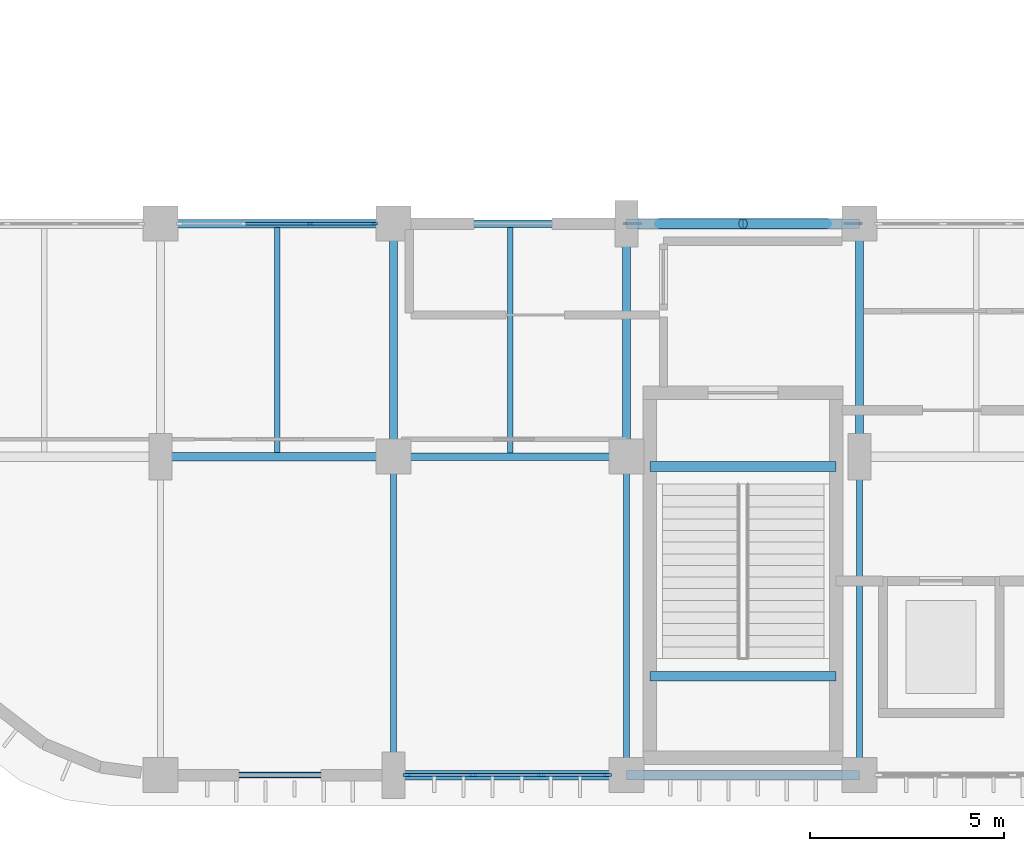
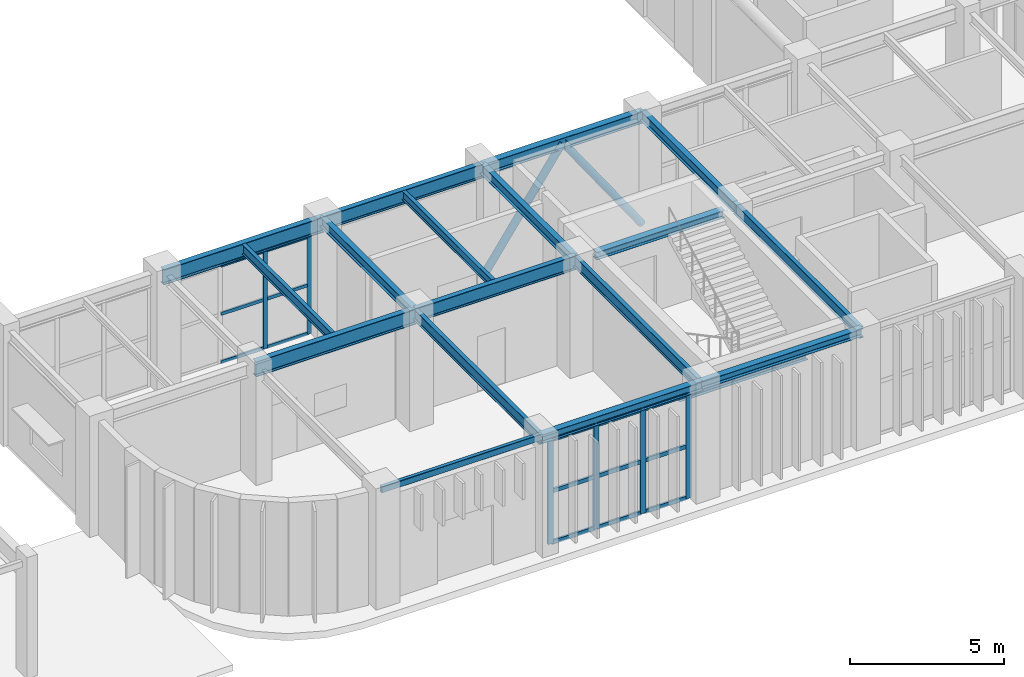
# One storey, part 17 of 76: 23 members, 18 beams, 2 elements without a shape of their own.
"""IFC4 building model written with IfcOpenShell, lengths in metres."""

from ifc_helpers import new_model, si_unit, direction, frame, origin, origin_2d, place, context, subcontext, project, spatial, rectangle, hollow_rectangle, hollow_circle, i_section, extrude, material, material_profile, profile_set, type_object, element, aggregate, save


model = new_model("IFC4")

# Units and contexts
model_context = context("Model", 3, precision=1e-05, world=origin(), true_north=direction((0.0, 1.0)))
body_context = subcontext(model_context, "Body", "Model", "MODEL_VIEW")
ifc_project = project(units=[si_unit("LENGTHUNIT", "METRE"), si_unit("AREAUNIT", "SQUARE_METRE"), si_unit("VOLUMEUNIT", "CUBIC_METRE"), si_unit("PLANEANGLEUNIT", "RADIAN"), si_unit("MASSUNIT", "GRAM", prefix="KILO")], contexts=[model_context])

# Site, building, storey
site_placement = place(None, origin())
site = spatial("IfcSite", under=ifc_project, at=site_placement, CompositionType="ELEMENT")
building_placement = place(site_placement, origin())
building = spatial("IfcBuilding", under=site, at=building_placement, Name="Varnakota Square Police Headquarters", CompositionType="ELEMENT")
storey_placement = place(building_placement, origin())
storey = spatial("IfcBuildingStorey", under=building, at=storey_placement, Name="L00", CompositionType="ELEMENT", Elevation=0.0)

# Beams
ifc_material_1 = material(Name="Steel IS 2062 Grade 350", Category="steel")
ifc_material_profile_1 = material_profile(ifc_material_1, hollow_rectangle(XDim=0.14990234375, YDim=0.25, WallThickness=0.010009765625, InnerFilletRadius=0.010009765625, OuterFilletRadius=0.02001953125, at=origin_2d()), Name="RHS 250x150x10")
ifc_profile_set_1 = profile_set([ifc_material_profile_1], Name="Steel IS 2062 Grade 350")
beam_type_1 = type_object("IfcBeamType", Name="BM-CBEAM-RHS250", PredefinedType="BEAM", material=ifc_profile_set_1)
beam_1_placement = place(storey_placement, frame((114.0, 0.800048828125, 4.375), z_axis=(1.0, 0.0, 0.0), x_axis=(0.0, 1.0, 0.0)))
element("IfcBeam", 1, at=beam_1_placement, inside=storey, type_object=beam_type_1, Name="BMG-L00-0686", PredefinedType="BEAM", context=body_context, shape_type="SweptSolid", body=[
    extrude(hollow_rectangle(XDim=0.14990234375, YDim=0.25, WallThickness=0.010009765625, InnerFilletRadius=0.010009765625, OuterFilletRadius=0.02001953125, at=origin_2d()), origin(), (0.0, 0.0, 1.0), 6.0),
])
ifc_material_profile_2 = material_profile(ifc_material_1, i_section(OverallWidth=0.25, OverallDepth=0.300048828125, WebThickness=0.009521484375, FlangeThickness=0.010498046875, FilletRadius=0.011962890625, at=origin_2d()), Name="ISHB 300")
ifc_profile_set_2 = profile_set([ifc_material_profile_2], Name="Steel IS 2062 Grade 350")
beam_type_2 = type_object("IfcBeamType", Name="BM-ISHB300", PredefinedType="BEAM", material=ifc_profile_set_2)
beam_2_placement = place(storey_placement, frame((126.0, 0.800048828125, 4.35009765625), z_axis=(1.0, 0.0, 0.0), x_axis=(0.0, 1.0, 0.0)))
element("IfcBeam", 2, at=beam_2_placement, inside=storey, type_object=beam_type_2, Name="BMG-L00-0688", PredefinedType="BEAM", context=body_context, shape_type="SweptSolid", body=[
    extrude(i_section(OverallWidth=0.25, OverallDepth=0.300048828125, WebThickness=0.009521484375, FlangeThickness=0.010498046875, FilletRadius=0.011962890625, at=origin_2d()), origin(), (0.0, 0.0, 1.0), 6.0),
])
for number, where, z_axis, x_axis, name in (
    (3, (126.60009765625, 3.349365234375, 2.083984375), (1.0, 0.0, 0.0), (0.0, 1.0, 0.0), "Stair landing support beam BM-LND-0001"),
    (4, (126.60009765625, 8.75, 4.429931640625), (1.0, 0.0, 0.0), (0.0, 1.0, 0.0), "Stair landing support beam BM-LND-0002"),
):
    element("IfcBeam", number, at=place(storey_placement, frame(where, z_axis=z_axis, x_axis=x_axis)), inside=storey, type_object=beam_type_2, Name=name, PredefinedType="BEAM", context=body_context, shape_type="SweptSolid", body=[
        extrude(i_section(OverallWidth=0.25, OverallDepth=0.300048828125, WebThickness=0.009521484375, FlangeThickness=0.010498046875, FilletRadius=0.011962890625, at=origin_2d()), origin(), (0.0, 0.0, 1.0), 4.7998046875),
    ])
ifc_material_profile_3 = material_profile(ifc_material_1, i_section(OverallWidth=0.25, OverallDepth=0.35009765625, WebThickness=0.010009765625, FlangeThickness=0.01171875, FilletRadius=0.011962890625, at=origin_2d()), Name="ISHB 350")
ifc_profile_set_3 = profile_set([ifc_material_profile_3], Name="Steel IS 2062 Grade 350")
beam_type_3 = type_object("IfcBeamType", Name="BM-ISHB350", PredefinedType="BEAM", material=ifc_profile_set_3)
beam_3_placement = place(storey_placement, frame((120.0, 0.800048828125, 4.324951171875), z_axis=(1.0, 0.0, 0.0), x_axis=(0.0, 1.0, 0.0)))
element("IfcBeam", 5, at=beam_3_placement, inside=storey, type_object=beam_type_3, Name="BMG-L00-0687", PredefinedType="BEAM", context=body_context, shape_type="SweptSolid", body=[
    extrude(i_section(OverallWidth=0.25, OverallDepth=0.35009765625, WebThickness=0.010009765625, FlangeThickness=0.01171875, FilletRadius=0.011962890625, at=origin_2d()), origin(), (0.0, 0.0, 1.0), 6.0),
])
ifc_material_profile_4 = material_profile(ifc_material_1, i_section(OverallWidth=0.25, OverallDepth=0.449951171875, WebThickness=0.01123046875, FlangeThickness=0.013671875, FilletRadius=0.014892578125, at=origin_2d()), Name="ISHB 450")
ifc_profile_set_4 = profile_set([ifc_material_profile_4], Name="Steel IS 2062 Grade 350")
beam_type_4 = type_object("IfcBeamType", Name="BM-ISHB450", PredefinedType="BEAM", material=ifc_profile_set_4)
beam_4_placement = place(storey_placement, frame((126.0, 15.0, 4.27490234375), z_axis=(1.0, 0.0, 0.0), x_axis=(0.0, 1.0, 0.0)))
element("IfcBeam", 6, at=beam_4_placement, inside=storey, type_object=beam_type_4, Name="BMG-L00-0737", PredefinedType="BEAM", context=body_context, shape_type="SweptSolid", body=[
    extrude(i_section(OverallWidth=0.25, OverallDepth=0.449951171875, WebThickness=0.01123046875, FlangeThickness=0.013671875, FilletRadius=0.014892578125, at=origin_2d()), origin(), (0.0, 0.0, 1.0), 6.0),
])
ifc_material_profile_5 = material_profile(ifc_material_1, i_section(OverallWidth=0.139892578125, OverallDepth=0.35009765625, WebThickness=0.008056640625, FlangeThickness=0.01416015625, FilletRadius=0.013916015625, at=origin_2d()), Name="ISMB 350")
ifc_profile_set_5 = profile_set([ifc_material_profile_5], Name="Steel IS 2062 Grade 350")
beam_type_5 = type_object("IfcBeamType", Name="BM-ISMB350", PredefinedType="JOIST", material=ifc_profile_set_5)
beam_5_placement = place(storey_placement, frame((123.0, 9.093017578125, 4.324951171875), z_axis=(0.0, 1.0, 0.0), x_axis=(-1.0, 0.0, 0.0)))
element("IfcBeam", 7, at=beam_5_placement, inside=storey, type_object=beam_type_5, Name="BMG-L00-1266", PredefinedType="JOIST", context=body_context, shape_type="SweptSolid", body=[
    extrude(i_section(OverallWidth=0.139892578125, OverallDepth=0.35009765625, WebThickness=0.008056640625, FlangeThickness=0.01416015625, FilletRadius=0.013916015625, at=origin_2d()), origin(), (0.0, 0.0, 1.0), 5.81396484375),
])
ifc_material_profile_6 = material_profile(ifc_material_1, i_section(OverallWidth=0.139892578125, OverallDepth=0.39990234375, WebThickness=0.0087890625, FlangeThickness=0.01611328125, FilletRadius=0.013916015625, at=origin_2d()), Name="ISMB 400")
ifc_profile_set_6 = profile_set([ifc_material_profile_6], Name="Steel IS 2062 Grade 350")
beam_type_6 = type_object("IfcBeamType", Name="BM-ISMB400", PredefinedType="JOIST", material=ifc_profile_set_6)
beam_6_placement = place(storey_placement, frame((117.0, 9.10302734375, 4.300048828125), z_axis=(0.0, 1.0, 0.0), x_axis=(-1.0, 0.0, 0.0)))
element("IfcBeam", 8, at=beam_6_placement, inside=storey, type_object=beam_type_6, Name="BMG-L00-1262", PredefinedType="JOIST", context=body_context, shape_type="SweptSolid", body=[
    extrude(i_section(OverallWidth=0.139892578125, OverallDepth=0.39990234375, WebThickness=0.0087890625, FlangeThickness=0.01611328125, FilletRadius=0.013916015625, at=origin_2d()), origin(), (0.0, 0.0, 1.0), 5.7939453125),
])
ifc_material_profile_7 = material_profile(ifc_material_1, i_section(OverallWidth=0.14990234375, OverallDepth=0.449951171875, WebThickness=0.009521484375, FlangeThickness=0.017333984375, FilletRadius=0.014892578125, at=origin_2d()), Name="ISMB 450")
ifc_profile_set_7 = profile_set([ifc_material_profile_7], Name="Steel IS 2062 Grade 350")
beam_type_7 = type_object("IfcBeamType", Name="BM-ISMB450", PredefinedType="BEAM", material=ifc_profile_set_7)
for number, where, z_axis, x_axis, name in (
    (9, (120.0, 0.800048828125, 4.27490234375), (0.0, 1.0, 0.0), (-1.0, 0.0, 0.0), "BMG-L00-1096"),
    (10, (126.0, 0.800048828125, 4.27490234375), (0.0, 1.0, 0.0), (-1.0, 0.0, 0.0), "BMG-L00-1102"),
    (11, (132.0, 0.800048828125, 4.27490234375), (0.0, 1.0, 0.0), (-1.0, 0.0, 0.0), "BMG-L00-1108"),
):
    element("IfcBeam", number, at=place(storey_placement, frame(where, z_axis=z_axis, x_axis=x_axis)), inside=storey, type_object=beam_type_7, Name=name, PredefinedType="BEAM", context=body_context, shape_type="SweptSolid", body=[
        extrude(i_section(OverallWidth=0.14990234375, OverallDepth=0.449951171875, WebThickness=0.009521484375, FlangeThickness=0.017333984375, FilletRadius=0.014892578125, at=origin_2d()), origin(), (0.0, 0.0, 1.0), 8.199951171875),
    ])
ifc_material_profile_8 = material_profile(ifc_material_1, i_section(OverallWidth=0.18994140625, OverallDepth=0.550048828125, WebThickness=0.01123046875, FlangeThickness=0.019287109375, FilletRadius=0.01806640625, at=origin_2d()), Name="ISMB 550")
ifc_profile_set_8 = profile_set([ifc_material_profile_8], Name="Steel IS 2062 Grade 350")
beam_type_8 = type_object("IfcBeamType", Name="BM-ISMB550", PredefinedType="BEAM", material=ifc_profile_set_8)
for number, where, z_axis, x_axis, name in (
    (12, (120.0, 9.0, 4.22509765625), (1.0, 0.0, 0.0), (0.0, 1.0, 0.0), "BMG-L00-0720"),
    (13, (120.0, 15.0, 4.22509765625), (1.0, 0.0, 0.0), (0.0, 1.0, 0.0), "BMG-L00-0736"),
):
    element("IfcBeam", number, at=place(storey_placement, frame(where, z_axis=z_axis, x_axis=x_axis)), inside=storey, type_object=beam_type_8, Name=name, PredefinedType="BEAM", context=body_context, shape_type="SweptSolid", body=[
        extrude(i_section(OverallWidth=0.18994140625, OverallDepth=0.550048828125, WebThickness=0.01123046875, FlangeThickness=0.019287109375, FilletRadius=0.01806640625, at=origin_2d()), origin(), (0.0, 0.0, 1.0), 6.0),
    ])
ifc_material_profile_9 = material_profile(ifc_material_1, i_section(OverallWidth=0.2099609375, OverallDepth=0.60009765625, WebThickness=0.011962890625, FlangeThickness=0.020751953125, FilletRadius=0.02001953125, at=origin_2d()), Name="ISMB 600")
ifc_profile_set_9 = profile_set([ifc_material_profile_9], Name="Steel IS 2062 Grade 350")
beam_type_9 = type_object("IfcBeamType", Name="BM-ISMB600", PredefinedType="BEAM", material=ifc_profile_set_9)
for number, where, z_axis, x_axis, name in (
    (14, (114.0, 9.0, 4.199951171875), (1.0, 0.0, 0.0), (0.0, 1.0, 0.0), "BMG-L00-0719"),
    (15, (114.0, 15.0, 4.199951171875), (1.0, 0.0, 0.0), (0.0, 1.0, 0.0), "BMG-L00-0735"),
):
    element("IfcBeam", number, at=place(storey_placement, frame(where, z_axis=z_axis, x_axis=x_axis)), inside=storey, type_object=beam_type_9, Name=name, PredefinedType="BEAM", context=body_context, shape_type="SweptSolid", body=[
        extrude(i_section(OverallWidth=0.2099609375, OverallDepth=0.60009765625, WebThickness=0.011962890625, FlangeThickness=0.020751953125, FilletRadius=0.02001953125, at=origin_2d()), origin(), (0.0, 0.0, 1.0), 6.0),
    ])
ifc_material_profile_10 = material_profile(ifc_material_1, i_section(OverallWidth=0.199951171875, OverallDepth=0.39990234375, WebThickness=0.008544921875, FlangeThickness=0.012939453125, FilletRadius=0.012939453125, at=origin_2d()), Name="ISWB 400")
ifc_profile_set_10 = profile_set([ifc_material_profile_10], Name="Steel IS 2062 Grade 350")
beam_type_10 = type_object("IfcBeamType", Name="BM-ISWB400", PredefinedType="BEAM", material=ifc_profile_set_10)
for number, where, z_axis, x_axis, name in (
    (16, (120.0, 9.0, 4.300048828125), (0.0, 1.0, 0.0), (-1.0, 0.0, 0.0), "BMG-L00-1097"),
    (17, (126.0, 9.0, 4.300048828125), (0.0, 1.0, 0.0), (-1.0, 0.0, 0.0), "BMG-L00-1103"),
    (18, (132.0, 9.0, 4.300048828125), (0.0, 1.0, 0.0), (-1.0, 0.0, 0.0), "BMG-L00-1109"),
):
    element("IfcBeam", number, at=place(storey_placement, frame(where, z_axis=z_axis, x_axis=x_axis)), inside=storey, type_object=beam_type_10, Name=name, PredefinedType="BEAM", context=body_context, shape_type="SweptSolid", body=[
        extrude(i_section(OverallWidth=0.199951171875, OverallDepth=0.39990234375, WebThickness=0.008544921875, FlangeThickness=0.012939453125, FilletRadius=0.012939453125, at=origin_2d()), origin(), (0.0, 0.0, 1.0), 6.0),
    ])

# Curtain wall, members
ifc_material_2 = material(Name="Anodised Aluminium Framing", Category="aluminium")
curtain_wall_type_1 = type_object("IfcCurtainWallType", Name="CW-SYS-D", PredefinedType="NOTDEFINED", material=ifc_material_2)
curtain_wall_1_placement = place(storey_placement, origin())
curtain_wall_1 = element("IfcCurtainWall", 19, at=curtain_wall_1_placement, inside=storey, type_object=curtain_wall_type_1, Name="Unitised curtain wall CWG-L00-050", PredefinedType="NOTDEFINED")
ifc_material_3 = material(Name="Anodised Aluminium 6063-T6", Category="aluminium")
ifc_material_profile_11 = material_profile(ifc_material_3, rectangle(XDim=0.06494140625, YDim=0.159912109375, at=origin_2d()), Name="ALU MULLION 65x160")
ifc_profile_set_11 = profile_set([ifc_material_profile_11], Name="Anodised Aluminium 6063-T6")
member_type_1 = type_object("IfcMemberType", Name="CWM-150", PredefinedType="MULLION", material=ifc_profile_set_11)
member_1_placement = place(storey_placement, frame((117.848388671875, 15.0, 0.0), z_axis=(0.0, 0.0, 1.0), x_axis=(0.0, 1.0, 0.0)))
member_1 = element("IfcMember", 20, at=member_1_placement, type_object=member_type_1, Name="CWG-L00-050 mullion 3", PredefinedType="MULLION", context=body_context, shape_type="SweptSolid", body=[
    extrude(rectangle(XDim=0.06494140625, YDim=0.159912109375, at=origin_2d()), origin(), (0.0, 0.0, 1.0), 3.889892578125),
])
member_2_placement = place(storey_placement, frame((119.512451171875, 15.0, 0.0), z_axis=(0.0, 0.0, 1.0), x_axis=(0.0, 1.0, 0.0)))
member_2 = element("IfcMember", 21, at=member_2_placement, type_object=member_type_1, Name="CWG-L00-050 mullion 4", PredefinedType="MULLION", context=body_context, shape_type="SweptSolid", body=[
    extrude(rectangle(XDim=0.06494140625, YDim=0.159912109375, at=origin_2d()), origin(), (0.0, 0.0, 1.0), 3.889892578125),
])

curtain_wall_type_2 = type_object("IfcCurtainWallType", Name="CW-SYS-B", PredefinedType="NOTDEFINED", material=ifc_material_2)
curtain_wall_2_placement = place(storey_placement, origin())
curtain_wall_2 = element("IfcCurtainWall", 22, at=curtain_wall_2_placement, inside=storey, type_object=curtain_wall_type_2, Name="Unitised curtain wall CWG-L00-046", PredefinedType="NOTDEFINED")
ifc_material_profile_12 = material_profile(ifc_material_3, rectangle(XDim=0.074951171875, YDim=0.199951171875, at=origin_2d()), Name="ALU MULLION 75x200")
ifc_profile_set_12 = profile_set([ifc_material_profile_12], Name="Anodised Aluminium 6063-T6")
member_type_2 = type_object("IfcMemberType", Name="CWM-180", PredefinedType="MULLION", material=ifc_profile_set_12)
member_3_placement = place(storey_placement, frame((120.342529296875, 0.800048828125, 0.0), z_axis=(0.0, 0.0, 1.0), x_axis=(0.0, 1.0, 0.0)))
member_3 = element("IfcMember", 23, at=member_3_placement, type_object=member_type_2, Name="CWG-L00-046 mullion 1", PredefinedType="MULLION", context=body_context, shape_type="SweptSolid", body=[
    extrude(rectangle(XDim=0.074951171875, YDim=0.199951171875, at=origin_2d()), origin(), (0.0, 0.0, 1.0), 4.139892578125),
])
member_4_placement = place(storey_placement, frame((122.0517578125, 0.800048828125, 0.0), z_axis=(0.0, 0.0, 1.0), x_axis=(0.0, 1.0, 0.0)))
member_4 = element("IfcMember", 24, at=member_4_placement, type_object=member_type_2, Name="CWG-L00-046 mullion 2", PredefinedType="MULLION", context=body_context, shape_type="SweptSolid", body=[
    extrude(rectangle(XDim=0.074951171875, YDim=0.199951171875, at=origin_2d()), origin(), (0.0, 0.0, 1.0), 4.139892578125),
])
member_5_placement = place(storey_placement, frame((123.79833984375, 0.800048828125, 0.0), z_axis=(0.0, 0.0, 1.0), x_axis=(0.0, 1.0, 0.0)))
member_5 = element("IfcMember", 25, at=member_5_placement, type_object=member_type_2, Name="CWG-L00-046 mullion 3", PredefinedType="MULLION", context=body_context, shape_type="SweptSolid", body=[
    extrude(rectangle(XDim=0.074951171875, YDim=0.199951171875, at=origin_2d()), origin(), (0.0, 0.0, 1.0), 4.139892578125),
])
member_6_placement = place(storey_placement, frame((125.507568359375, 0.800048828125, 0.0), z_axis=(0.0, 0.0, 1.0), x_axis=(0.0, 1.0, 0.0)))
member_6 = element("IfcMember", 26, at=member_6_placement, type_object=member_type_2, Name="CWG-L00-046 mullion 4", PredefinedType="MULLION", context=body_context, shape_type="SweptSolid", body=[
    extrude(rectangle(XDim=0.074951171875, YDim=0.199951171875, at=origin_2d()), origin(), (0.0, 0.0, 1.0), 4.139892578125),
])

# Member
ifc_material_profile_13 = material_profile(ifc_material_3, rectangle(XDim=0.06494140625, YDim=0.1298828125, at=origin_2d()), Name="ALU TRANSOM 65x130")
ifc_profile_set_13 = profile_set([ifc_material_profile_13], Name="Anodised Aluminium 6063-T6")
member_type_3 = type_object("IfcMemberType", Name="CWT-120", PredefinedType="USERDEFINED", material=ifc_profile_set_13)
member_7_placement = place(storey_placement, frame((116.18408203125, 15.0, 0.032470703125), z_axis=(1.0, 0.0, 0.0), x_axis=(0.0, 1.0, 0.0)))
member_7 = element("IfcMember", 27, at=member_7_placement, type_object=member_type_3, Name="CWG-L00-050 transom 2.1", ObjectType="TRANSOM", PredefinedType="USERDEFINED", context=body_context, shape_type="SweptSolid", body=[
    extrude(rectangle(XDim=0.06494140625, YDim=0.1298828125, at=origin_2d()), origin(), (0.0, 0.0, 1.0), 1.6318359375),
])

member_8_placement = place(storey_placement, frame((116.18408203125, 15.0, 1.945068359375), z_axis=(1.0, 0.0, 0.0), x_axis=(0.0, 1.0, 0.0)))
member_8 = element("IfcMember", 28, at=member_8_placement, type_object=member_type_3, Name="CWG-L00-050 transom 2.2", ObjectType="TRANSOM", PredefinedType="USERDEFINED", context=body_context, shape_type="SweptSolid", body=[
    extrude(rectangle(XDim=0.06494140625, YDim=0.1298828125, at=origin_2d()), origin(), (0.0, 0.0, 1.0), 1.6318359375),
])

member_9_placement = place(storey_placement, frame((116.18408203125, 15.0, 3.857421875), z_axis=(1.0, 0.0, 0.0), x_axis=(0.0, 1.0, 0.0)))
member_9 = element("IfcMember", 29, at=member_9_placement, type_object=member_type_3, Name="CWG-L00-050 transom 2.3", ObjectType="TRANSOM", PredefinedType="USERDEFINED", context=body_context, shape_type="SweptSolid", body=[
    extrude(rectangle(XDim=0.06494140625, YDim=0.1298828125, at=origin_2d()), origin(), (0.0, 0.0, 1.0), 1.6318359375),
])

member_10_placement = place(storey_placement, frame((117.880859375, 15.0, 0.032470703125), z_axis=(1.0, 0.0, 0.0), x_axis=(0.0, 1.0, 0.0)))
member_10 = element("IfcMember", 30, at=member_10_placement, type_object=member_type_3, Name="CWG-L00-050 transom 3.1", ObjectType="TRANSOM", PredefinedType="USERDEFINED", context=body_context, shape_type="SweptSolid", body=[
    extrude(rectangle(XDim=0.06494140625, YDim=0.1298828125, at=origin_2d()), origin(), (0.0, 0.0, 1.0), 1.59912109375),
])

member_11_placement = place(storey_placement, frame((117.880859375, 15.0, 1.945068359375), z_axis=(1.0, 0.0, 0.0), x_axis=(0.0, 1.0, 0.0)))
member_11 = element("IfcMember", 31, at=member_11_placement, type_object=member_type_3, Name="CWG-L00-050 transom 3.2", ObjectType="TRANSOM", PredefinedType="USERDEFINED", context=body_context, shape_type="SweptSolid", body=[
    extrude(rectangle(XDim=0.06494140625, YDim=0.1298828125, at=origin_2d()), origin(), (0.0, 0.0, 1.0), 1.59912109375),
])

member_12_placement = place(storey_placement, frame((117.880859375, 15.0, 3.857421875), z_axis=(1.0, 0.0, 0.0), x_axis=(0.0, 1.0, 0.0)))
member_12 = element("IfcMember", 32, at=member_12_placement, type_object=member_type_3, Name="CWG-L00-050 transom 3.3", ObjectType="TRANSOM", PredefinedType="USERDEFINED", context=body_context, shape_type="SweptSolid", body=[
    extrude(rectangle(XDim=0.06494140625, YDim=0.1298828125, at=origin_2d()), origin(), (0.0, 0.0, 1.0), 1.59912109375),
])

aggregate(curtain_wall_1, [member_1, member_2, member_7, member_8, member_9, member_10, member_11, member_12])

ifc_material_profile_14 = material_profile(ifc_material_3, rectangle(XDim=0.074951171875, YDim=0.159912109375, at=origin_2d()), Name="ALU TRANSOM 75x160")
ifc_profile_set_14 = profile_set([ifc_material_profile_14], Name="Anodised Aluminium 6063-T6")
member_type_4 = type_object("IfcMemberType", Name="CWT-150", PredefinedType="USERDEFINED", material=ifc_profile_set_14)
member_13_placement = place(storey_placement, frame((120.3798828125, 0.800048828125, 0.03759765625), z_axis=(1.0, 0.0, 0.0), x_axis=(0.0, 1.0, 0.0)))
member_13 = element("IfcMember", 33, at=member_13_placement, type_object=member_type_4, Name="CWG-L00-046 transom 1.1", ObjectType="TRANSOM", PredefinedType="USERDEFINED", context=body_context, shape_type="SweptSolid", body=[
    extrude(rectangle(XDim=0.074951171875, YDim=0.159912109375, at=origin_2d()), origin(), (0.0, 0.0, 1.0), 1.63427734375),
])

member_14_placement = place(storey_placement, frame((120.3798828125, 0.800048828125, 2.070068359375), z_axis=(1.0, 0.0, 0.0), x_axis=(0.0, 1.0, 0.0)))
member_14 = element("IfcMember", 34, at=member_14_placement, type_object=member_type_4, Name="CWG-L00-046 transom 1.2", ObjectType="TRANSOM", PredefinedType="USERDEFINED", context=body_context, shape_type="SweptSolid", body=[
    extrude(rectangle(XDim=0.074951171875, YDim=0.159912109375, at=origin_2d()), origin(), (0.0, 0.0, 1.0), 1.63427734375),
])

member_15_placement = place(storey_placement, frame((120.3798828125, 0.800048828125, 4.1025390625), z_axis=(1.0, 0.0, 0.0), x_axis=(0.0, 1.0, 0.0)))
member_15 = element("IfcMember", 35, at=member_15_placement, type_object=member_type_4, Name="CWG-L00-046 transom 1.3", ObjectType="TRANSOM", PredefinedType="USERDEFINED", context=body_context, shape_type="SweptSolid", body=[
    extrude(rectangle(XDim=0.074951171875, YDim=0.159912109375, at=origin_2d()), origin(), (0.0, 0.0, 1.0), 1.63427734375),
])

member_16_placement = place(storey_placement, frame((122.089111328125, 0.800048828125, 0.03759765625), z_axis=(1.0, 0.0, 0.0), x_axis=(0.0, 1.0, 0.0)))
member_16 = element("IfcMember", 36, at=member_16_placement, type_object=member_type_4, Name="CWG-L00-046 transom 2.1", ObjectType="TRANSOM", PredefinedType="USERDEFINED", context=body_context, shape_type="SweptSolid", body=[
    extrude(rectangle(XDim=0.074951171875, YDim=0.159912109375, at=origin_2d()), origin(), (0.0, 0.0, 1.0), 1.671630859375),
])

member_17_placement = place(storey_placement, frame((122.089111328125, 0.800048828125, 2.070068359375), z_axis=(1.0, 0.0, 0.0), x_axis=(0.0, 1.0, 0.0)))
member_17 = element("IfcMember", 37, at=member_17_placement, type_object=member_type_4, Name="CWG-L00-046 transom 2.2", ObjectType="TRANSOM", PredefinedType="USERDEFINED", context=body_context, shape_type="SweptSolid", body=[
    extrude(rectangle(XDim=0.074951171875, YDim=0.159912109375, at=origin_2d()), origin(), (0.0, 0.0, 1.0), 1.671630859375),
])

member_18_placement = place(storey_placement, frame((122.089111328125, 0.800048828125, 4.1025390625), z_axis=(1.0, 0.0, 0.0), x_axis=(0.0, 1.0, 0.0)))
member_18 = element("IfcMember", 38, at=member_18_placement, type_object=member_type_4, Name="CWG-L00-046 transom 2.3", ObjectType="TRANSOM", PredefinedType="USERDEFINED", context=body_context, shape_type="SweptSolid", body=[
    extrude(rectangle(XDim=0.074951171875, YDim=0.159912109375, at=origin_2d()), origin(), (0.0, 0.0, 1.0), 1.671630859375),
])

member_19_placement = place(storey_placement, frame((123.8359375, 0.800048828125, 0.03759765625), z_axis=(1.0, 0.0, 0.0), x_axis=(0.0, 1.0, 0.0)))
member_19 = element("IfcMember", 39, at=member_19_placement, type_object=member_type_4, Name="CWG-L00-046 transom 3.1", ObjectType="TRANSOM", PredefinedType="USERDEFINED", context=body_context, shape_type="SweptSolid", body=[
    extrude(rectangle(XDim=0.074951171875, YDim=0.159912109375, at=origin_2d()), origin(), (0.0, 0.0, 1.0), 1.634033203125),
])

member_20_placement = place(storey_placement, frame((123.8359375, 0.800048828125, 2.070068359375), z_axis=(1.0, 0.0, 0.0), x_axis=(0.0, 1.0, 0.0)))
member_20 = element("IfcMember", 40, at=member_20_placement, type_object=member_type_4, Name="CWG-L00-046 transom 3.2", ObjectType="TRANSOM", PredefinedType="USERDEFINED", context=body_context, shape_type="SweptSolid", body=[
    extrude(rectangle(XDim=0.074951171875, YDim=0.159912109375, at=origin_2d()), origin(), (0.0, 0.0, 1.0), 1.634033203125),
])

member_21_placement = place(storey_placement, frame((123.8359375, 0.800048828125, 4.1025390625), z_axis=(1.0, 0.0, 0.0), x_axis=(0.0, 1.0, 0.0)))
member_21 = element("IfcMember", 41, at=member_21_placement, type_object=member_type_4, Name="CWG-L00-046 transom 3.3", ObjectType="TRANSOM", PredefinedType="USERDEFINED", context=body_context, shape_type="SweptSolid", body=[
    extrude(rectangle(XDim=0.074951171875, YDim=0.159912109375, at=origin_2d()), origin(), (0.0, 0.0, 1.0), 1.634033203125),
])

aggregate(curtain_wall_2, [member_3, member_4, member_5, member_6, member_13, member_14, member_15, member_16, member_17, member_18, member_19, member_20, member_21])

# Members
ifc_material_profile_15 = material_profile(ifc_material_1, hollow_circle(Radius=0.136474609375, WallThickness=0.010009765625, at=origin_2d()), Name="CHS 273.0x10.0")
ifc_profile_set_15 = profile_set([ifc_material_profile_15], Name="Steel IS 2062 Grade 350")
member_type_5 = type_object("IfcMemberType", Name="MEM-BR-CHS273", PredefinedType="BRACE", material=ifc_profile_set_15)
for number, where, z_axis, x_axis, name in (
    (42, (126.050048828125, 15.0, 0.02001953125), (0.57202533685, 0.0, 0.8202359502), (0.0, 1.0, 0.0), "Lateral brace BF1 L00 left"),
    (43, (131.949951171875, 15.0, 0.02001953125), (-0.57202533685, 0.0, 0.8202359502), (0.0, -1.0, 0.0), "Lateral brace BF1 L00 right"),
):
    element("IfcMember", number, at=place(storey_placement, frame(where, z_axis=z_axis, x_axis=x_axis)), inside=storey, type_object=member_type_5, Name=name, PredefinedType="BRACE", context=body_context, shape_type="SweptSolid", body=[
        extrude(hollow_circle(Radius=0.136474609375, WallThickness=0.010009765625, at=origin_2d()), origin(), (0.0, 0.0, 1.0), 5.156982421875),
    ])

save(model, "model.ifc")
